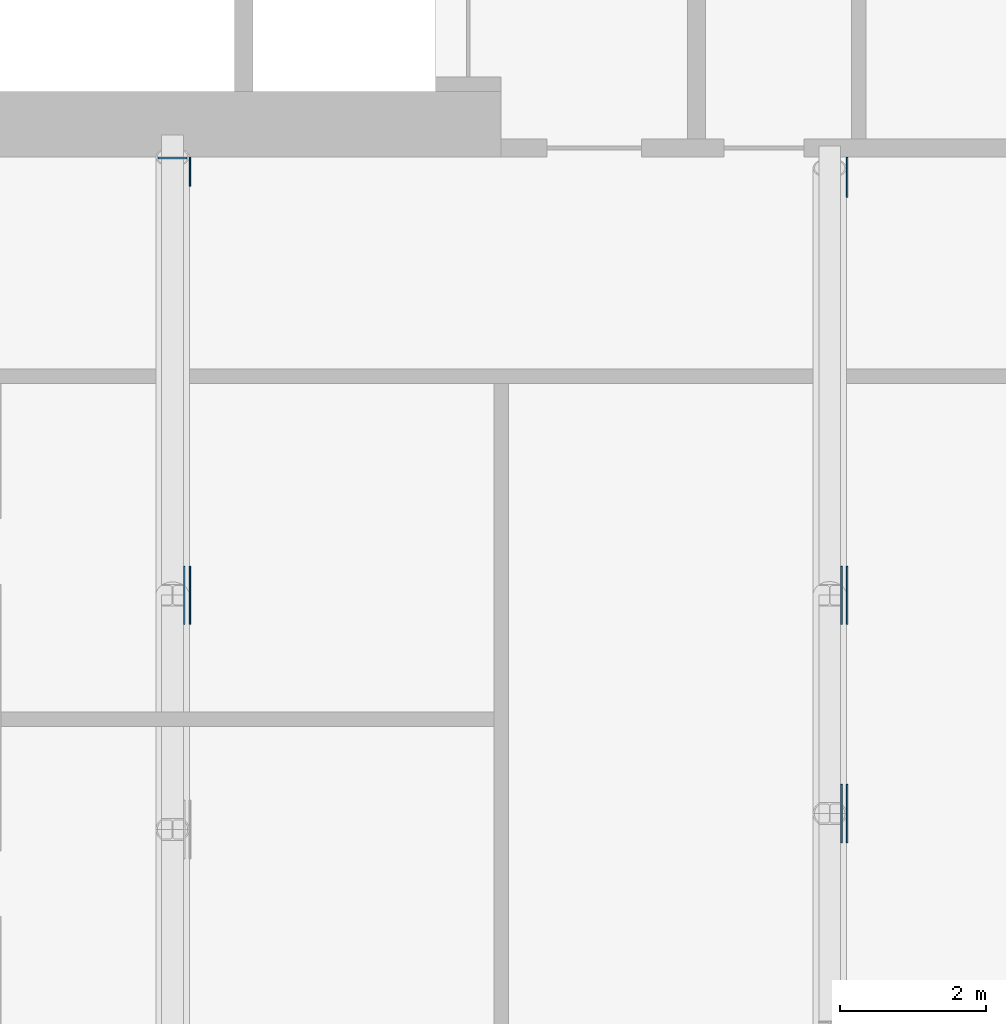
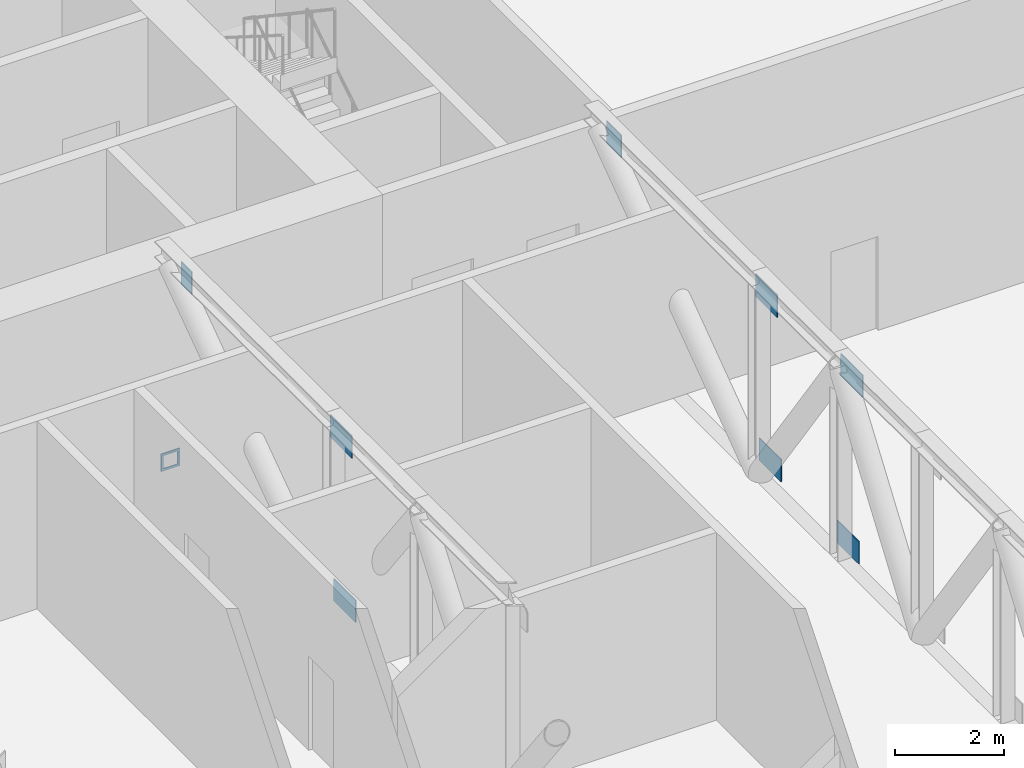
# One storey, part 16 of 22: 9 discrete accessories.
"""IFC4 building model written with IfcOpenShell, lengths in metres."""

from ifc_helpers import new_model, si_unit, direction, frame, origin, place, context, subcontext, project, spatial, polyline, outline, extrude, material, layer, layer_set, type_object, element, save


model = new_model("IFC4")

# Units and contexts
model_context = context("Model", 3, precision=1e-05, world=origin(), true_north=direction((0.0, 1.0)))
body_context = subcontext(model_context, "Body", "Model", "MODEL_VIEW")
ifc_project = project(units=[si_unit("LENGTHUNIT", "METRE"), si_unit("AREAUNIT", "SQUARE_METRE"), si_unit("VOLUMEUNIT", "CUBIC_METRE"), si_unit("PLANEANGLEUNIT", "RADIAN"), si_unit("MASSUNIT", "GRAM", prefix="KILO")], contexts=[model_context])

# Site, building, storey
site_placement = place(None, origin())
site = spatial("IfcSite", under=ifc_project, at=site_placement, CompositionType="ELEMENT")
building_placement = place(site_placement, origin())
building = spatial("IfcBuilding", under=site, at=building_placement, Name="Kajstack Hotel Tower", CompositionType="ELEMENT")
storey_placement = place(building_placement, frame((0.0, 0.0, 150.39990234375)))
storey = spatial("IfcBuildingStorey", under=building, at=storey_placement, Name="L35", CompositionType="ELEMENT", Elevation=150.39990234375)

# Discrete accessories
ifc_material = material(Name="Steel S355J2", Category="steel")
ifc_layer_1 = layer(ifc_material, 0.02490234375)
ifc_layer_set_1 = layer_set([ifc_layer_1], Name="CAST-IN PLATE")
discrete_accessory_type_1 = type_object("IfcDiscreteAccessoryType", Name="CAST-IN PLATE", PredefinedType="BRACKET", material=ifc_layer_set_1)
discrete_accessory_1_placement = place(storey_placement, frame((27.0, 1.47509765625, -0.14501953125), z_axis=(0.0, 1.0, 0.0), x_axis=(-1.0, 0.0, 0.0)))
element("IfcDiscreteAccessory", 1, at=discrete_accessory_1_placement, inside=storey, type_object=discrete_accessory_type_1, Name="Cast-in plate L35-014", PredefinedType="BRACKET", context=body_context, shape_type="SweptSolid", body=[
    extrude(outline(polyline([(-0.199951171875, -0.195068359375), (0.199951171875, -0.195068359375), (0.199951171875, 0.195068359375), (-0.199951171875, 0.195068359375), (-0.199951171875, -0.195068359375)]), holes=[polyline([(-0.14990234375, -0.14501953125), (-0.14990234375, 0.14501953125), (0.14990234375, 0.14501953125), (0.14990234375, -0.14501953125), (-0.14990234375, -0.14501953125)])]), origin(), (0.0, 0.0, 1.0), 0.02490234375),
])
ifc_layer_2 = layer(ifc_material, 0.02001953125)
ifc_layer_set_2 = layer_set([ifc_layer_2], Name="GUSSET PLATE")
discrete_accessory_type_2 = type_object("IfcDiscreteAccessoryType", Name="GUSSET PLATE", PredefinedType="BRACKET", material=ifc_layer_set_2)
for number, where, z_axis, x_axis, name in (
    (2, (27.228515625, -4.5, 0.0), (1.0, 0.0, 0.0), (0.0, 1.0, 0.0), "Gusset plate L35-435"),
    (3, (27.14990234375, -4.5, 3.7001953125), (1.0, 0.0, 0.0), (0.0, 1.0, 0.0), "Gusset plate L35-436"),
):
    element("IfcDiscreteAccessory", number, at=place(storey_placement, frame(where, z_axis=z_axis, x_axis=x_axis)), inside=storey, type_object=discrete_accessory_type_2, Name=name, PredefinedType="BRACKET", context=body_context, shape_type="SweptSolid", body=[
        extrude(outline(polyline([(-0.39990234375, 0.0), (0.39990234375, 0.0), (0.39990234375, 0.5), (-0.39990234375, 0.5), (-0.39990234375, 0.0)])), origin(), (0.0, 0.0, 1.0), 0.02001953125),
    ])
discrete_accessory_2_placement = place(storey_placement, frame((27.228515625, 1.5, 3.7001953125), z_axis=(1.0, 0.0, 0.0), x_axis=(0.0, 1.0, 0.0)))
element("IfcDiscreteAccessory", 4, at=discrete_accessory_2_placement, inside=storey, type_object=discrete_accessory_type_2, Name="Gusset plate L35-437", PredefinedType="BRACKET", context=body_context, shape_type="SweptSolid", body=[
    extrude(outline(polyline([(-0.39990234375, 0.0), (-0.0048828125, 0.0), (-0.0048828125, 0.5), (-0.39990234375, 0.5), (-0.39990234375, 0.0)])), origin(), (0.0, 0.0, 1.0), 0.02001953125),
])
for number, where, z_axis, x_axis, name in (
    (5, (36.14990234375, -7.491455078125, 0.0), (1.0, 0.0, 0.0), (0.0, 1.0, 0.0), "Gusset plate L35-445"),
    (6, (36.228515625, -7.491455078125, 3.7001953125), (1.0, 0.0, 0.0), (0.0, 1.0, 0.0), "Gusset plate L35-446"),
    (7, (36.228515625, -4.5, 0.0), (1.0, 0.0, 0.0), (0.0, 1.0, 0.0), "Gusset plate L35-447"),
    (8, (36.14990234375, -4.5, 3.7001953125), (1.0, 0.0, 0.0), (0.0, 1.0, 0.0), "Gusset plate L35-448"),
):
    element("IfcDiscreteAccessory", number, at=place(storey_placement, frame(where, z_axis=z_axis, x_axis=x_axis)), inside=storey, type_object=discrete_accessory_type_2, Name=name, PredefinedType="BRACKET", context=body_context, shape_type="SweptSolid", body=[
        extrude(outline(polyline([(-0.39990234375, 0.0), (0.39990234375, 0.0), (0.39990234375, 0.5), (-0.39990234375, 0.5), (-0.39990234375, 0.0)])), origin(), (0.0, 0.0, 1.0), 0.02001953125),
    ])
discrete_accessory_3_placement = place(storey_placement, frame((36.228515625, 1.35009765625, 3.7001953125), z_axis=(1.0, 0.0, 0.0), x_axis=(0.0, 1.0, 0.0)))
element("IfcDiscreteAccessory", 9, at=discrete_accessory_3_placement, inside=storey, type_object=discrete_accessory_type_2, Name="Gusset plate L35-449", PredefinedType="BRACKET", context=body_context, shape_type="SweptSolid", body=[
    extrude(outline(polyline([(-0.39990234375, 0.0), (0.14501953125, 0.0), (0.14501953125, 0.5), (-0.39990234375, 0.5), (-0.39990234375, 0.0)])), origin(), (0.0, 0.0, 1.0), 0.02001953125),
])

save(model, "model.ifc")
